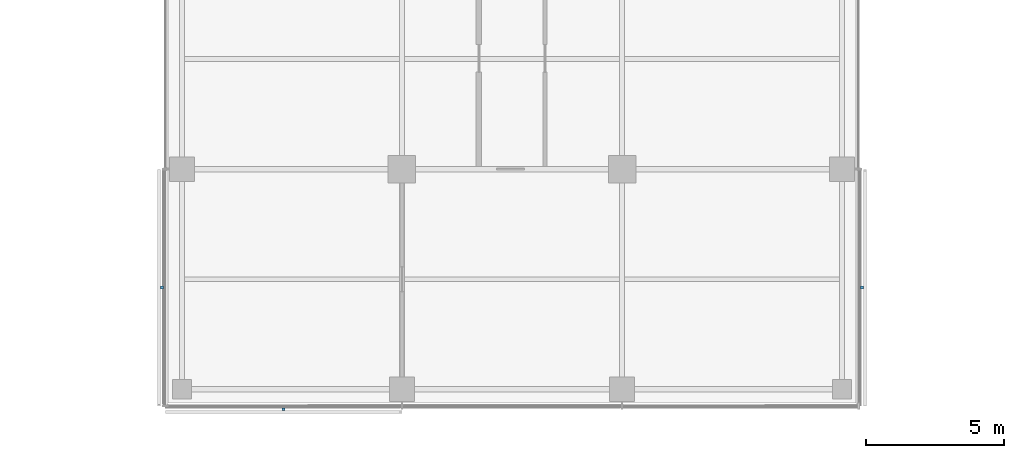
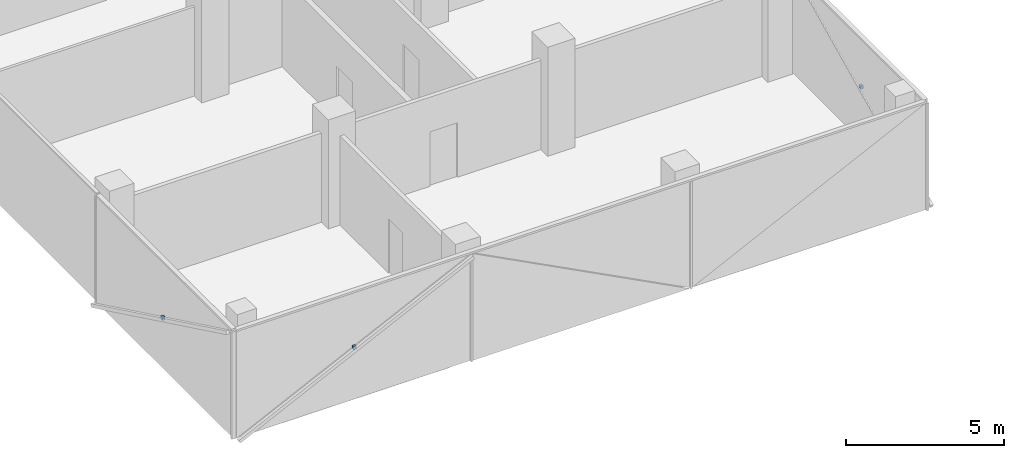
# One storey, part 18 of 22: 3 discrete accessories.
"""IFC4 building model written with IfcOpenShell, lengths in metres."""

from ifc_helpers import new_model, si_unit, direction, frame, origin, origin_2d, place, context, subcontext, project, spatial, rectangle, extrude, material, type_object, element, save


model = new_model("IFC4")

# Units and contexts
model_context = context("Model", 3, precision=1e-05, world=origin(), true_north=direction((0.0, 1.0)))
body_context = subcontext(model_context, "Body", "Model", "MODEL_VIEW")
ifc_project = project(units=[si_unit("LENGTHUNIT", "METRE"), si_unit("AREAUNIT", "SQUARE_METRE"), si_unit("VOLUMEUNIT", "CUBIC_METRE"), si_unit("PLANEANGLEUNIT", "RADIAN"), si_unit("MASSUNIT", "GRAM", prefix="KILO")], contexts=[model_context])

# Site, building, storey
site_placement = place(None, origin())
site = spatial("IfcSite", under=ifc_project, at=site_placement, CompositionType="ELEMENT")
building_placement = place(site_placement, origin())
building = spatial("IfcBuilding", under=site, at=building_placement, Name="Crosswind Convention Tower", CompositionType="ELEMENT")
storey_placement = place(building_placement, frame((0.0, 0.0, 133.699951171875)))
storey = spatial("IfcBuildingStorey", under=building, at=storey_placement, Name="L27", CompositionType="ELEMENT", Elevation=133.699951171875)

# Discrete accessories
ifc_material = material(Name="Stainless steel", Category="steel")
discrete_accessory_type = type_object("IfcDiscreteAccessoryType", Name="BAGUETTE BRACKET BK3", PredefinedType="BRACKET", material=ifc_material)
for number, where, z_axis, x_axis, name in (
    (1, (112.27392578125, 75.695068359375, 1.705078125), (0.0, 0.0, 1.0), (0.0, -1.0, 0.0), "BK3 baguette bracket"),
    (2, (116.695068359375, 71.27392578125, 1.705078125), (0.0, 0.0, 1.0), (1.0, 0.0, 0.0), "BK3 baguette bracket"),
    (3, (137.72607421875, 75.695068359375, 1.705078125), (0.0, 0.0, 1.0), (0.0, 1.0, 0.0), "BK3 baguette bracket"),
):
    element("IfcDiscreteAccessory", number, at=place(storey_placement, frame(where, z_axis=z_axis, x_axis=x_axis)), inside=storey, type_object=discrete_accessory_type, Name=name, PredefinedType="BRACKET", context=body_context, shape_type="SweptSolid", body=[
        extrude(rectangle(XDim=0.1201171875, YDim=0.10009765625, at=origin_2d()), origin(), (0.0, 0.0, 1.0), 0.1201171875),
    ])

save(model, "model.ifc")
